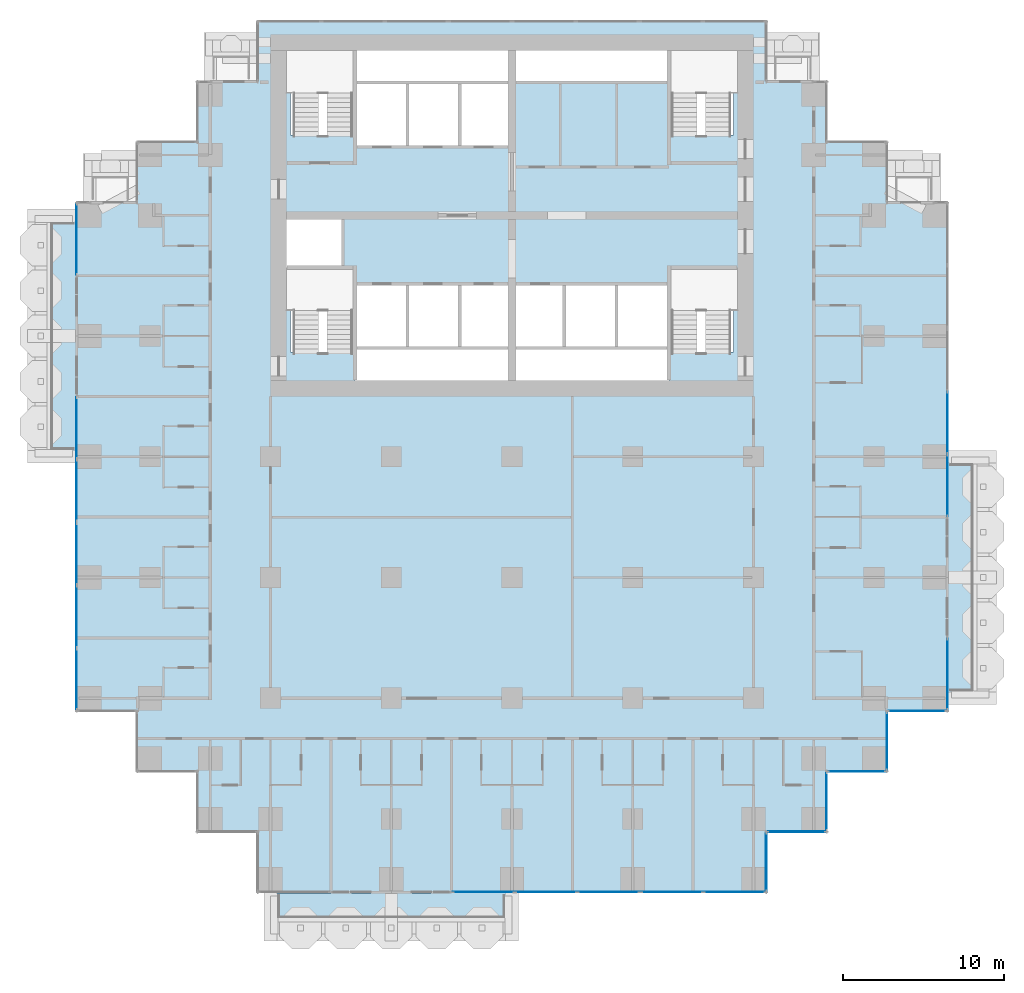
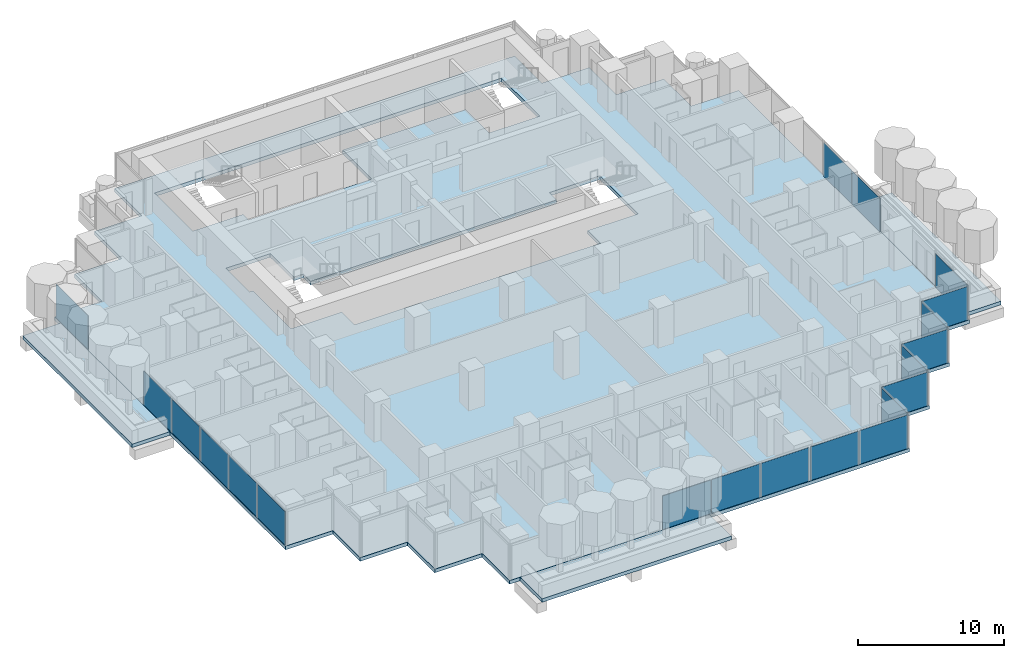
# One storey, part 8 of 19: 20 plates, 4 slabs, 13 elements without a shape of their own.
"""IFC4 building model written with IfcOpenShell, lengths in metres."""

from ifc_helpers import new_model, si_unit, direction, frame, origin, origin_2d, place, context, subcontext, project, spatial, polyline, rectangle, outline, extrude, material, layer, layer_set, type_object, element, aggregate, save


model = new_model("IFC4")

# Units and contexts
model_context = context("Model", 3, precision=1e-05, world=origin(), true_north=direction((0.0, 1.0)))
body_context = subcontext(model_context, "Body", "Model", "MODEL_VIEW")
ifc_project = project(units=[si_unit("LENGTHUNIT", "METRE"), si_unit("AREAUNIT", "SQUARE_METRE"), si_unit("VOLUMEUNIT", "CUBIC_METRE"), si_unit("PLANEANGLEUNIT", "RADIAN"), si_unit("MASSUNIT", "GRAM", prefix="KILO")], contexts=[model_context])

# Site, building, storey
site_placement = place(None, origin())
site = spatial("IfcSite", under=ifc_project, at=site_placement, CompositionType="ELEMENT")
building_placement = place(site_placement, origin())
building = spatial("IfcBuilding", under=site, at=building_placement, Name="Pilkhan Gate Tower", CompositionType="ELEMENT")
storey_placement = place(building_placement, frame((0.0, 0.0, 62.60009765625)))
storey = spatial("IfcBuildingStorey", under=building, at=storey_placement, Name="L13", CompositionType="ELEMENT", Elevation=62.60009765625)

# Slabs
ifc_material_1 = material(Name="Concrete C60/75", Category="concrete")
ifc_layer_1 = layer(ifc_material_1, 0.300048828125)
ifc_layer_set_1 = layer_set([ifc_layer_1], Name="Balcony tray slab TR300")
slab_type_1 = type_object("IfcSlabType", Name="Balcony tray slab TR300", PredefinedType="FLOOR", material=ifc_layer_set_1)
slab_1_placement = place(storey_placement, frame((0.0, 0.0, -0.300048828125)))
element("IfcSlab", 1, at=slab_1_placement, inside=storey, type_object=slab_type_1, Name="Balcony tray L13 S", PredefinedType="FLOOR", context=body_context, shape_type="SweptSolid", body=[
    extrude(outline(polyline([(75.0, 37.39990234375), (75.0, 40.39990234375), (60.0, 40.39990234375), (60.0, 37.39990234375), (75.0, 37.39990234375)])), origin(), (0.0, 0.0, 1.0), 0.300048828125),
])
slab_2_placement = place(storey_placement, frame((0.0, 0.0, -0.300048828125)))
element("IfcSlab", 2, at=slab_2_placement, inside=storey, type_object=slab_type_1, Name="Balcony tray L13 E", PredefinedType="FLOOR", context=body_context, shape_type="SweptSolid", body=[
    extrude(outline(polyline([(105.10009765625, 52.5), (105.10009765625, 67.5), (102.10009765625, 67.5), (102.10009765625, 52.5), (105.10009765625, 52.5)])), origin(), (0.0, 0.0, 1.0), 0.300048828125),
])
slab_3_placement = place(storey_placement, frame((0.0, 0.0, -0.300048828125)))
element("IfcSlab", 3, at=slab_3_placement, inside=storey, type_object=slab_type_1, Name="Balcony tray L13 W", PredefinedType="FLOOR", context=body_context, shape_type="SweptSolid", body=[
    extrude(outline(polyline([(47.89990234375, 67.5), (47.89990234375, 82.5), (44.89990234375, 82.5), (44.89990234375, 67.5), (47.89990234375, 67.5)])), origin(), (0.0, 0.0, 1.0), 0.300048828125),
])
ifc_material_2 = material(Name="Concrete C40/50", Category="concrete")
ifc_layer_2 = layer(ifc_material_2, 0.300048828125)
ifc_layer_set_2 = layer_set([ifc_layer_2], Name="Flat plate slab FP300")
slab_type_2 = type_object("IfcSlabType", Name="Flat plate slab FP300", PredefinedType="FLOOR", material=ifc_layer_set_2)
slab_4_placement = place(storey_placement, frame((0.0, 0.0, -0.300048828125)))
element("IfcSlab", 4, at=slab_4_placement, inside=storey, type_object=slab_type_2, Name="Floor slab L13", PredefinedType="FLOOR", context=body_context, shape_type="SweptSolid", body=[
    extrude(outline(polyline([(98.35009765625, 47.89990234375), (94.60009765625, 47.89990234375), (94.60009765625, 44.14990234375), (90.85009765625, 44.14990234375), (90.85009765625, 40.39990234375), (59.14990234375, 40.39990234375), (59.14990234375, 44.14990234375), (55.39990234375, 44.14990234375), (55.39990234375, 47.89990234375), (51.64990234375, 47.89990234375), (51.64990234375, 51.64990234375), (47.89990234375, 51.64990234375), (47.89990234375, 83.35009765625), (51.64990234375, 83.35009765625), (51.64990234375, 87.10009765625), (55.39990234375, 87.10009765625), (55.39990234375, 90.85009765625), (59.14990234375, 90.85009765625), (59.14990234375, 94.60009765625), (90.85009765625, 94.60009765625), (90.85009765625, 90.85009765625), (94.60009765625, 90.85009765625), (94.60009765625, 87.10009765625), (98.35009765625, 87.10009765625), (98.35009765625, 83.35009765625), (102.10009765625, 83.35009765625), (102.10009765625, 51.64990234375), (98.35009765625, 51.64990234375), (98.35009765625, 47.89990234375)]), holes=[polyline([(65.25, 87.5), (65.25, 86.75), (68.5, 86.75), (71.75, 86.75), (75.0, 86.75), (75.0, 90.75), (84.75, 90.75), (84.75, 87.5), (88.75, 87.5), (88.75, 92.75), (84.75, 92.75), (75.0, 92.75), (65.25, 92.75), (61.25, 92.75), (61.25, 87.5), (65.25, 87.5)]), polyline([(75.0, 72.25), (84.75, 72.25), (84.75, 74.0), (88.75, 74.0), (88.75, 79.25), (84.75, 79.25), (84.75, 78.25), (81.5, 78.25), (78.25, 78.25), (75.0, 78.25), (71.75, 78.25), (68.5, 78.25), (65.25, 78.25), (65.25, 79.25), (64.5, 79.25), (64.5, 82.5), (61.25, 82.5), (61.0, 82.5), (61.0, 79.25), (61.25, 79.25), (61.25, 74.0), (65.25, 74.0), (65.25, 72.25), (75.0, 72.25)])]), origin(), (0.0, 0.0, 1.0), 0.300048828125),
])

# Curtain wall, plate
ifc_material_3 = material(Name="Pale anodised aluminium, clear low-iron double glazing", Category="aluminium")
curtain_wall_type = type_object("IfcCurtainWallType", Name="Hotel unitised curtain wall CW-H", PredefinedType="USERDEFINED", material=ifc_material_3)
curtain_wall_1_placement = place(storey_placement, origin())
curtain_wall_1 = element("IfcCurtainWall", 5, at=curtain_wall_1_placement, inside=storey, type_object=curtain_wall_type, Name="Hotel unitised curtain wall CW-H L13 E", ObjectType="UNITISED CURTAIN WALL", PredefinedType="USERDEFINED")
ifc_material_4 = material(Name="Clear low-iron double glazing", Category="glass")
ifc_layer_3 = layer(ifc_material_4, 0.035888671875)
ifc_layer_set_3 = layer_set([ifc_layer_3], Name="Glass panel CW-H 36")
plate_type = type_object("IfcPlateType", Name="Glass panel CW-H 36", PredefinedType="CURTAIN_PANEL", material=ifc_layer_set_3)
plate_1_placement = place(storey_placement, frame((102.044921875, 53.9775390625, 0.0), z_axis=(0.0, 0.0, 1.0), x_axis=(0.0, 1.0, 0.0)))
plate_1 = element("IfcPlate", 6, at=plate_1_placement, type_object=plate_type, Name="CW-H panel 1", PredefinedType="CURTAIN_PANEL", context=body_context, shape_type="SweptSolid", body=[
    extrude(rectangle(XDim=4.4150390625, YDim=0.035888671875, at=origin_2d()), origin(), (0.0, 0.0, 1.0), 2.820068359375),
])
aggregate(curtain_wall_1, [plate_1])

# Curtain wall, plates
curtain_wall_2_placement = place(storey_placement, origin())
curtain_wall_2 = element("IfcCurtainWall", 7, at=curtain_wall_2_placement, inside=storey, type_object=curtain_wall_type, Name="Hotel unitised curtain wall CW-H L13 E", ObjectType="UNITISED CURTAIN WALL", PredefinedType="USERDEFINED")
plate_2_placement = place(storey_placement, frame((102.044921875, 65.720703125, 0.0), z_axis=(0.0, 0.0, 1.0), x_axis=(0.0, 1.0, 0.0)))
plate_2 = element("IfcPlate", 8, at=plate_2_placement, type_object=plate_type, Name="CW-H panel 1", PredefinedType="CURTAIN_PANEL", context=body_context, shape_type="SweptSolid", body=[
    extrude(rectangle(XDim=3.8115234375, YDim=0.035888671875, at=origin_2d()), origin(), (0.0, 0.0, 1.0), 2.820068359375),
])
plate_3_placement = place(storey_placement, frame((102.044921875, 69.613525390625, 0.0), z_axis=(0.0, 0.0, 1.0), x_axis=(0.0, 1.0, 0.0)))
plate_3 = element("IfcPlate", 9, at=plate_3_placement, type_object=plate_type, Name="CW-H panel 2", PredefinedType="CURTAIN_PANEL", context=body_context, shape_type="SweptSolid", body=[
    extrude(rectangle(XDim=3.843994140625, YDim=0.035888671875, at=origin_2d()), origin(), (0.0, 0.0, 1.0), 2.820068359375),
])
aggregate(curtain_wall_2, [plate_2, plate_3])

curtain_wall_3_placement = place(storey_placement, origin())
curtain_wall_3 = element("IfcCurtainWall", 10, at=curtain_wall_3_placement, inside=storey, type_object=curtain_wall_type, Name="Hotel unitised curtain wall CW-H L13 W", ObjectType="UNITISED CURTAIN WALL", PredefinedType="USERDEFINED")
plate_4_placement = place(storey_placement, frame((47.955078125, 53.67578125, 0.0), z_axis=(0.0, 0.0, 1.0), x_axis=(0.0, 1.0, 0.0)))
plate_4 = element("IfcPlate", 11, at=plate_4_placement, type_object=plate_type, Name="CW-H panel 1", PredefinedType="CURTAIN_PANEL", context=body_context, shape_type="SweptSolid", body=[
    extrude(rectangle(XDim=3.8115234375, YDim=0.035888671875, at=origin_2d()), origin(), (0.0, 0.0, 1.0), 2.820068359375),
])
plate_5_placement = place(storey_placement, frame((47.955078125, 57.568603515625, 0.0), z_axis=(0.0, 0.0, 1.0), x_axis=(0.0, 1.0, 0.0)))
plate_5 = element("IfcPlate", 12, at=plate_5_placement, type_object=plate_type, Name="CW-H panel 2", PredefinedType="CURTAIN_PANEL", context=body_context, shape_type="SweptSolid", body=[
    extrude(rectangle(XDim=3.843994140625, YDim=0.035888671875, at=origin_2d()), origin(), (0.0, 0.0, 1.0), 2.820068359375),
])
plate_6_placement = place(storey_placement, frame((47.955078125, 61.461181640625, 0.0), z_axis=(0.0, 0.0, 1.0), x_axis=(0.0, 1.0, 0.0)))
plate_6 = element("IfcPlate", 13, at=plate_6_placement, type_object=plate_type, Name="CW-H panel 3", PredefinedType="CURTAIN_PANEL", context=body_context, shape_type="SweptSolid", body=[
    extrude(rectangle(XDim=3.8115234375, YDim=0.035888671875, at=origin_2d()), origin(), (0.0, 0.0, 1.0), 2.820068359375),
])
aggregate(curtain_wall_3, [plate_4, plate_5, plate_6])

curtain_wall_4_placement = place(storey_placement, origin())
curtain_wall_4 = element("IfcCurtainWall", 14, at=curtain_wall_4_placement, inside=storey, type_object=curtain_wall_type, Name="Hotel unitised curtain wall CW-H L13 W", ObjectType="UNITISED CURTAIN WALL", PredefinedType="USERDEFINED")
plate_7_placement = place(storey_placement, frame((47.955078125, 65.40283203125, 0.0), z_axis=(0.0, 0.0, 1.0), x_axis=(0.0, 1.0, 0.0)))
plate_7 = element("IfcPlate", 15, at=plate_7_placement, type_object=plate_type, Name="CW-H panel 1", PredefinedType="CURTAIN_PANEL", context=body_context, shape_type="SweptSolid", body=[
    extrude(rectangle(XDim=3.8115234375, YDim=0.035888671875, at=origin_2d()), origin(), (0.0, 0.0, 1.0), 2.820068359375),
])
plate_8_placement = place(storey_placement, frame((47.955078125, 69.279296875, 0.0), z_axis=(0.0, 0.0, 1.0), x_axis=(0.0, 1.0, 0.0)))
plate_8 = element("IfcPlate", 16, at=plate_8_placement, type_object=plate_type, Name="CW-H panel 2", PredefinedType="CURTAIN_PANEL", context=body_context, shape_type="SweptSolid", body=[
    extrude(rectangle(XDim=3.8115234375, YDim=0.035888671875, at=origin_2d()), origin(), (0.0, 0.0, 1.0), 2.820068359375),
])
aggregate(curtain_wall_4, [plate_7, plate_8])

# Curtain wall, plate
curtain_wall_5_placement = place(storey_placement, origin())
curtain_wall_5 = element("IfcCurtainWall", 17, at=curtain_wall_5_placement, inside=storey, type_object=curtain_wall_type, Name="Hotel unitised curtain wall CW-H L13 W", ObjectType="UNITISED CURTAIN WALL", PredefinedType="USERDEFINED")
plate_9_placement = place(storey_placement, frame((47.955078125, 81.0224609375, 0.0), z_axis=(0.0, 0.0, 1.0), x_axis=(0.0, 1.0, 0.0)))
plate_9 = element("IfcPlate", 18, at=plate_9_placement, type_object=plate_type, Name="CW-H panel 1", PredefinedType="CURTAIN_PANEL", context=body_context, shape_type="SweptSolid", body=[
    extrude(rectangle(XDim=4.4150390625, YDim=0.035888671875, at=origin_2d()), origin(), (0.0, 0.0, 1.0), 2.820068359375),
])
aggregate(curtain_wall_5, [plate_9])

# Curtain wall, plates
curtain_wall_6_placement = place(storey_placement, origin())
curtain_wall_6 = element("IfcCurtainWall", 19, at=curtain_wall_6_placement, inside=storey, type_object=curtain_wall_type, Name="Hotel unitised curtain wall CW-H L13 S", ObjectType="UNITISED CURTAIN WALL", PredefinedType="USERDEFINED")
plate_10_placement = place(storey_placement, frame((73.220703125, 40.455078125, 0.0), z_axis=(0.0, 0.0, 1.0), x_axis=(1.0, 0.0, 0.0)))
plate_10 = element("IfcPlate", 20, at=plate_10_placement, type_object=plate_type, Name="CW-H panel 1", PredefinedType="CURTAIN_PANEL", context=body_context, shape_type="SweptSolid", body=[
    extrude(rectangle(XDim=3.8115234375, YDim=0.035888671875, at=origin_2d()), origin(), (0.0, 0.0, 1.0), 2.820068359375),
])
plate_11_placement = place(storey_placement, frame((77.113525390625, 40.455078125, 0.0), z_axis=(0.0, 0.0, 1.0), x_axis=(1.0, 0.0, 0.0)))
plate_11 = element("IfcPlate", 21, at=plate_11_placement, type_object=plate_type, Name="CW-H panel 2", PredefinedType="CURTAIN_PANEL", context=body_context, shape_type="SweptSolid", body=[
    extrude(rectangle(XDim=3.843994140625, YDim=0.035888671875, at=origin_2d()), origin(), (0.0, 0.0, 1.0), 2.820068359375),
])
plate_12_placement = place(storey_placement, frame((81.00634765625, 40.455078125, 0.0), z_axis=(0.0, 0.0, 1.0), x_axis=(1.0, 0.0, 0.0)))
plate_12 = element("IfcPlate", 22, at=plate_12_placement, type_object=plate_type, Name="CW-H panel 3", PredefinedType="CURTAIN_PANEL", context=body_context, shape_type="SweptSolid", body=[
    extrude(rectangle(XDim=3.8115234375, YDim=0.035888671875, at=origin_2d()), origin(), (0.0, 0.0, 1.0), 2.820068359375),
])
aggregate(curtain_wall_6, [plate_10, plate_11, plate_12])

curtain_wall_7_placement = place(storey_placement, origin())
curtain_wall_7 = element("IfcCurtainWall", 23, at=curtain_wall_7_placement, inside=storey, type_object=curtain_wall_type, Name="Hotel unitised curtain wall CW-H L13 S", ObjectType="UNITISED CURTAIN WALL", PredefinedType="USERDEFINED")
plate_13_placement = place(storey_placement, frame((84.94775390625, 40.455078125, 0.0), z_axis=(0.0, 0.0, 1.0), x_axis=(1.0, 0.0, 0.0)))
plate_13 = element("IfcPlate", 24, at=plate_13_placement, type_object=plate_type, Name="CW-H panel 1", PredefinedType="CURTAIN_PANEL", context=body_context, shape_type="SweptSolid", body=[
    extrude(rectangle(XDim=3.8115234375, YDim=0.035888671875, at=origin_2d()), origin(), (0.0, 0.0, 1.0), 2.820068359375),
])
plate_14_placement = place(storey_placement, frame((88.82421875, 40.455078125, 0.0), z_axis=(0.0, 0.0, 1.0), x_axis=(1.0, 0.0, 0.0)))
plate_14 = element("IfcPlate", 25, at=plate_14_placement, type_object=plate_type, Name="CW-H panel 2", PredefinedType="CURTAIN_PANEL", context=body_context, shape_type="SweptSolid", body=[
    extrude(rectangle(XDim=3.8115234375, YDim=0.035888671875, at=origin_2d()), origin(), (0.0, 0.0, 1.0), 2.820068359375),
])
aggregate(curtain_wall_7, [plate_13, plate_14])

# Curtain wall, plate
curtain_wall_8_placement = place(storey_placement, origin())
curtain_wall_8 = element("IfcCurtainWall", 26, at=curtain_wall_8_placement, inside=storey, type_object=curtain_wall_type, Name="Hotel unitised curtain wall CW-H L13 E", ObjectType="UNITISED CURTAIN WALL", PredefinedType="USERDEFINED")
plate_15_placement = place(storey_placement, frame((90.794921875, 42.330078125, 0.0), z_axis=(0.0, 0.0, 1.0), x_axis=(0.0, 1.0, 0.0)))
plate_15 = element("IfcPlate", 27, at=plate_15_placement, type_object=plate_type, Name="CW-H panel 1", PredefinedType="CURTAIN_PANEL", context=body_context, shape_type="SweptSolid", body=[
    extrude(rectangle(XDim=3.6201171875, YDim=0.035888671875, at=origin_2d()), origin(), (0.0, 0.0, 1.0), 2.820068359375),
])
aggregate(curtain_wall_8, [plate_15])

curtain_wall_9_placement = place(storey_placement, origin())
curtain_wall_9 = element("IfcCurtainWall", 28, at=curtain_wall_9_placement, inside=storey, type_object=curtain_wall_type, Name="Hotel unitised curtain wall CW-H L13 S", ObjectType="UNITISED CURTAIN WALL", PredefinedType="USERDEFINED")
plate_16_placement = place(storey_placement, frame((92.669921875, 44.205078125, 0.0), z_axis=(0.0, 0.0, 1.0), x_axis=(1.0, 0.0, 0.0)))
plate_16 = element("IfcPlate", 29, at=plate_16_placement, type_object=plate_type, Name="CW-H panel 1", PredefinedType="CURTAIN_PANEL", context=body_context, shape_type="SweptSolid", body=[
    extrude(rectangle(XDim=3.6201171875, YDim=0.035888671875, at=origin_2d()), origin(), (0.0, 0.0, 1.0), 2.820068359375),
])
aggregate(curtain_wall_9, [plate_16])

curtain_wall_10_placement = place(storey_placement, origin())
curtain_wall_10 = element("IfcCurtainWall", 30, at=curtain_wall_10_placement, inside=storey, type_object=curtain_wall_type, Name="Hotel unitised curtain wall CW-H L13 E", ObjectType="UNITISED CURTAIN WALL", PredefinedType="USERDEFINED")
plate_17_placement = place(storey_placement, frame((94.544921875, 46.080078125, 0.0), z_axis=(0.0, 0.0, 1.0), x_axis=(0.0, 1.0, 0.0)))
plate_17 = element("IfcPlate", 31, at=plate_17_placement, type_object=plate_type, Name="CW-H panel 1", PredefinedType="CURTAIN_PANEL", context=body_context, shape_type="SweptSolid", body=[
    extrude(rectangle(XDim=3.6201171875, YDim=0.035888671875, at=origin_2d()), origin(), (0.0, 0.0, 1.0), 2.820068359375),
])
aggregate(curtain_wall_10, [plate_17])

curtain_wall_11_placement = place(storey_placement, origin())
curtain_wall_11 = element("IfcCurtainWall", 32, at=curtain_wall_11_placement, inside=storey, type_object=curtain_wall_type, Name="Hotel unitised curtain wall CW-H L13 S", ObjectType="UNITISED CURTAIN WALL", PredefinedType="USERDEFINED")
plate_18_placement = place(storey_placement, frame((96.419921875, 47.955078125, 0.0), z_axis=(0.0, 0.0, 1.0), x_axis=(1.0, 0.0, 0.0)))
plate_18 = element("IfcPlate", 33, at=plate_18_placement, type_object=plate_type, Name="CW-H panel 1", PredefinedType="CURTAIN_PANEL", context=body_context, shape_type="SweptSolid", body=[
    extrude(rectangle(XDim=3.6201171875, YDim=0.035888671875, at=origin_2d()), origin(), (0.0, 0.0, 1.0), 2.820068359375),
])
aggregate(curtain_wall_11, [plate_18])

curtain_wall_12_placement = place(storey_placement, origin())
curtain_wall_12 = element("IfcCurtainWall", 34, at=curtain_wall_12_placement, inside=storey, type_object=curtain_wall_type, Name="Hotel unitised curtain wall CW-H L13 E", ObjectType="UNITISED CURTAIN WALL", PredefinedType="USERDEFINED")
plate_19_placement = place(storey_placement, frame((98.294921875, 49.830078125, 0.0), z_axis=(0.0, 0.0, 1.0), x_axis=(0.0, 1.0, 0.0)))
plate_19 = element("IfcPlate", 35, at=plate_19_placement, type_object=plate_type, Name="CW-H panel 1", PredefinedType="CURTAIN_PANEL", context=body_context, shape_type="SweptSolid", body=[
    extrude(rectangle(XDim=3.6201171875, YDim=0.035888671875, at=origin_2d()), origin(), (0.0, 0.0, 1.0), 2.820068359375),
])
aggregate(curtain_wall_12, [plate_19])

curtain_wall_13_placement = place(storey_placement, origin())
curtain_wall_13 = element("IfcCurtainWall", 36, at=curtain_wall_13_placement, inside=storey, type_object=curtain_wall_type, Name="Hotel unitised curtain wall CW-H L13 S", ObjectType="UNITISED CURTAIN WALL", PredefinedType="USERDEFINED")
plate_20_placement = place(storey_placement, frame((100.169921875, 51.705078125, 0.0), z_axis=(0.0, 0.0, 1.0), x_axis=(1.0, 0.0, 0.0)))
plate_20 = element("IfcPlate", 37, at=plate_20_placement, type_object=plate_type, Name="CW-H panel 1", PredefinedType="CURTAIN_PANEL", context=body_context, shape_type="SweptSolid", body=[
    extrude(rectangle(XDim=3.6201171875, YDim=0.035888671875, at=origin_2d()), origin(), (0.0, 0.0, 1.0), 2.820068359375),
])
aggregate(curtain_wall_13, [plate_20])

save(model, "model.ifc")
